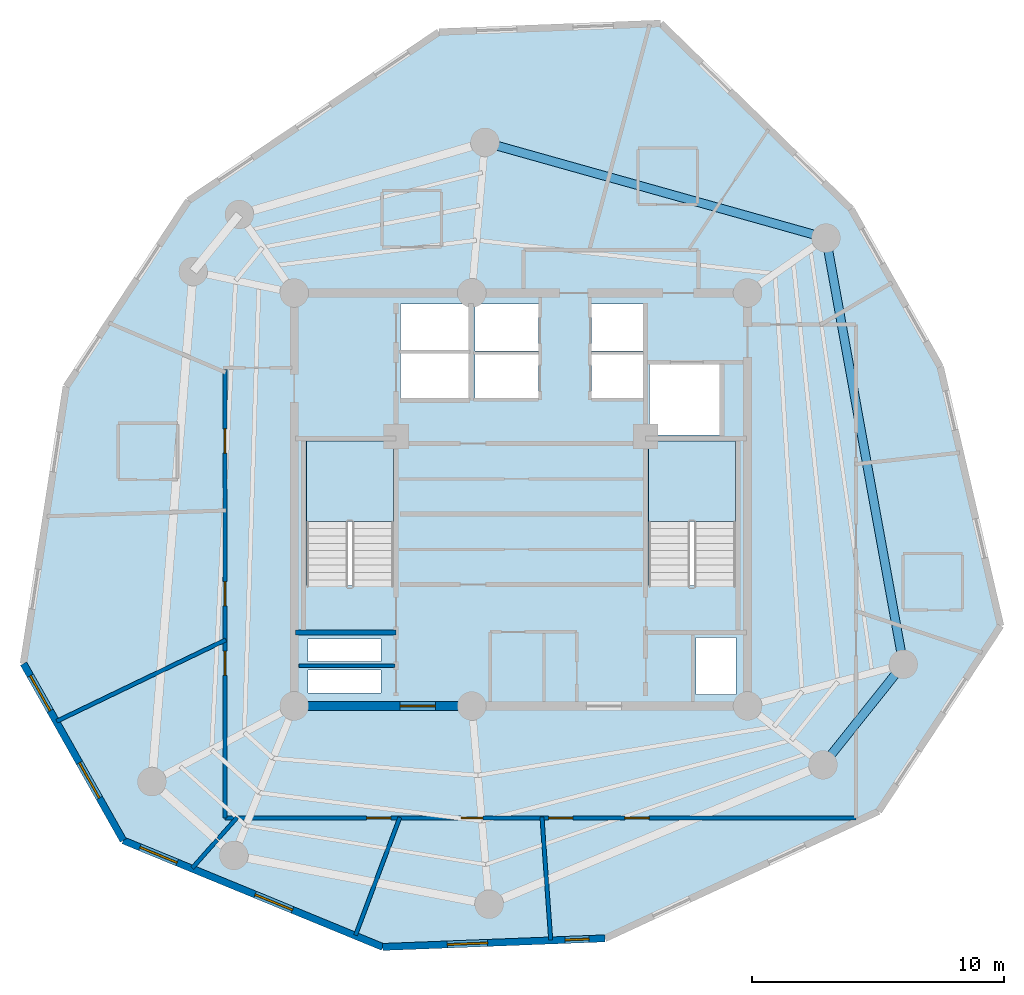
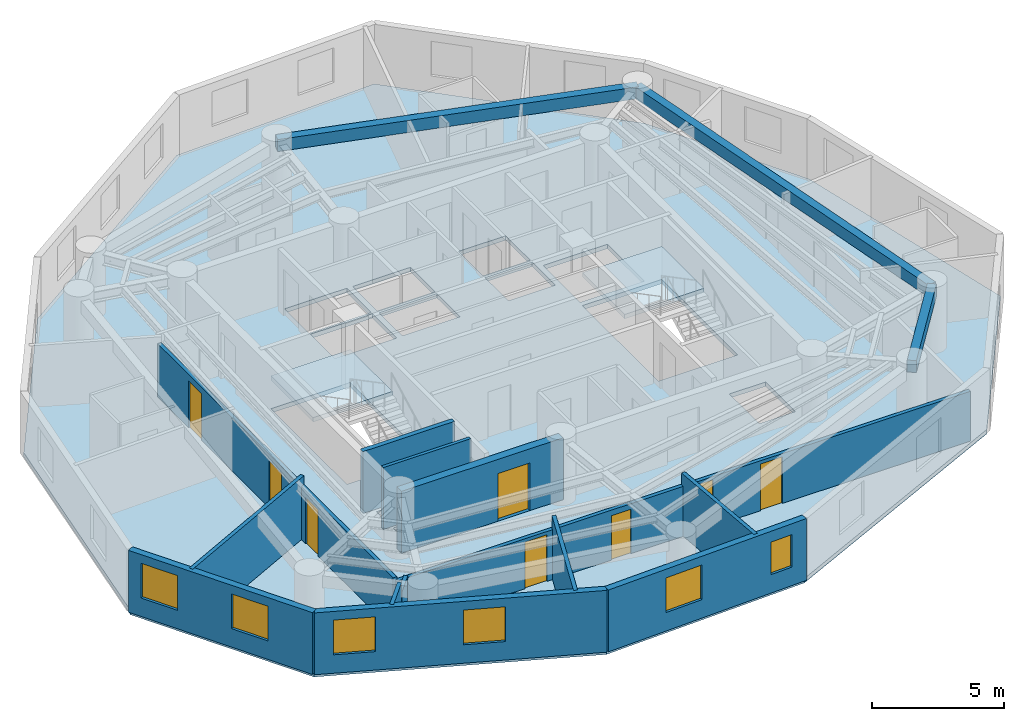
# One storey, part 2 of 7: 13 walls, 8 doors, 6 windows, 3 beams, 3 slabs, 14 openings, 2 elements without a shape of their own.
"""IFC4 building model written with IfcOpenShell, lengths in metres."""

from ifc_helpers import new_model, si_unit, direction, frame, frame_2d, origin, origin_with_axes, origin_2d, place, context, subcontext, project, spatial, polyline, rectangle, outline, extrude, source, transform, mapped, material, layer, layer_set, material_profile, profile_set, type_object, element, fill, aggregate, save


model = new_model("IFC4")

# Units and contexts
model_context = context("Model", 3, precision=1e-05, world=origin(), true_north=direction((0.0, 1.0)))
body_context = subcontext(model_context, "Body", "Model", "MODEL_VIEW")
ifc_project = project(units=[si_unit("LENGTHUNIT", "METRE"), si_unit("AREAUNIT", "SQUARE_METRE"), si_unit("VOLUMEUNIT", "CUBIC_METRE"), si_unit("PLANEANGLEUNIT", "RADIAN"), si_unit("MASSUNIT", "GRAM", prefix="KILO")], contexts=[model_context])

# Site, building, storey
site_placement = place(None, origin())
site = spatial("IfcSite", under=ifc_project, at=site_placement, CompositionType="ELEMENT")
building_placement = place(site_placement, origin())
building = spatial("IfcBuilding", under=site, at=building_placement, Name="Karkom Vertical University and Central Library", CompositionType="ELEMENT")
storey_placement = place(building_placement, frame((0.0, 0.0, 259.60009765625)))
storey = spatial("IfcBuildingStorey", under=building, at=storey_placement, Name="L77", CompositionType="ELEMENT", Elevation=259.60009765625)

# Beams
ifc_material_1 = material(Name="Precast concrete C45/55", Category="concrete")
ifc_material_profile = material_profile(ifc_material_1, rectangle(XDim=0.35009765625, YDim=0.550048828125, at=origin_2d()), Name="SPB-350x550")
ifc_profile_set = profile_set([ifc_material_profile], Name="Precast concrete C45/55")
beam_type = type_object("IfcBeamType", Name="STR-BM-SP-2", PredefinedType="SPANDREL", material=ifc_profile_set)
shared_shape_1 = source(origin_with_axes(), body_context, "Body", "SweptSolid", [
    extrude(rectangle(XDim=0.35009765625, YDim=0.550048828125, at=origin_2d()), origin(), (0.0, 0.0, 1.0), 17.19970703125),
])
beam_1_placement = place(storey_placement, frame((43.681884765625, 19.9560546875, 2.574951171875), z_axis=(-0.178423249727, 0.983953832228, 0.0), x_axis=(-0.983953832228, -0.178423249727, 0.0)))
element("IfcBeam", 1, at=beam_1_placement, inside=storey, type_object=beam_type, Name="Level 77 Perimeter Spandrel Beam 01", PredefinedType="SPANDREL", context=body_context, shape_type="MappedRepresentation", body=[
    mapped(shared_shape_1, transform((0.0, 0.0, 0.0), scale=1.0)),
])
shared_shape_2 = source(origin_with_axes(), body_context, "Body", "SweptSolid", [
    extrude(rectangle(XDim=0.35009765625, YDim=0.550048828125, at=origin_2d()), origin(), (0.0, 0.0, 1.0), 14.0625),
])
beam_2_placement = place(storey_placement, frame((40.613037109375, 36.8798828125, 2.574951171875), z_axis=(-0.962854853531, 0.270019501207, 0.0), x_axis=(-0.270019501207, -0.962854853531, 0.0)))
element("IfcBeam", 2, at=beam_2_placement, inside=storey, type_object=beam_type, Name="Level 77 Perimeter Spandrel Beam 02", PredefinedType="SPANDREL", context=body_context, shape_type="MappedRepresentation", body=[
    mapped(shared_shape_2, transform((0.0, 0.0, 0.0), scale=1.0)),
])
shared_shape_3 = source(origin_with_axes(), body_context, "Body", "SweptSolid", [
    extrude(rectangle(XDim=0.35009765625, YDim=0.550048828125, at=origin_2d()), origin(), (0.0, 0.0, 1.0), 5.112060546875),
])
beam_3_placement = place(storey_placement, frame((40.493896484375, 15.9599609375, 2.574951171875), z_axis=(0.623634459503, 0.78171609995, 0.0), x_axis=(-0.78171609995, 0.623634459503, 0.0)))
element("IfcBeam", 3, at=beam_3_placement, inside=storey, type_object=beam_type, Name="Level 77 Perimeter Spandrel Beam 09", PredefinedType="SPANDREL", context=body_context, shape_type="MappedRepresentation", body=[
    mapped(shared_shape_3, transform((0.0, 0.0, 0.0), scale=1.0)),
])

# Stair, slab
ifc_material_2 = material(Name="Concrete C45/55", Category="concrete")
stair_type = type_object("IfcStairType", Name="INT-STR-ST-MAIN", PredefinedType="HALF_TURN_STAIR", material=ifc_material_2)
stair_1_placement = place(storey_placement, origin())
stair_1 = element("IfcStair", 4, at=stair_1_placement, inside=storey, type_object=stair_type, Name="Level 77 Tower Protected Exit Stair ST-1", PredefinedType="HALF_TURN_STAIR")
ifc_layer_1 = layer(ifc_material_2, 0.199951171875)
ifc_layer_set_1 = layer_set([ifc_layer_1], Name="Concrete C45/55")
slab_type_1 = type_object("IfcSlabType", Name="INT-SLB-LANDING", PredefinedType="LANDING", material=ifc_layer_set_1)
slab_1_placement = place(storey_placement, frame((0.0, 0.0, 1.324951171875)))
slab_1 = element("IfcSlab", 5, at=slab_1_placement, type_object=slab_type_1, Name="ST-1 landing 1", PredefinedType="LANDING", context=body_context, shape_type="SweptSolid", body=[
    extrude(outline(polyline([(23.43994140625, 25.6298828125), (23.43994140625, 28.820068359375), (19.97998046875, 28.820068359375), (19.97998046875, 25.6298828125), (23.43994140625, 25.6298828125)])), origin(), (0.0, 0.0, 1.0), 0.199951171875),
])
aggregate(stair_1, [slab_1])

stair_2_placement = place(storey_placement, origin())
stair_2 = element("IfcStair", 6, at=stair_2_placement, inside=storey, type_object=stair_type, Name="Level 77 Tower Protected Exit Stair ST-2", PredefinedType="HALF_TURN_STAIR")
slab_2_placement = place(storey_placement, frame((0.0, 0.0, 1.324951171875)))
slab_2 = element("IfcSlab", 7, at=slab_2_placement, type_object=slab_type_1, Name="ST-2 landing 1", PredefinedType="LANDING", context=body_context, shape_type="SweptSolid", body=[
    extrude(outline(polyline([(37.02001953125, 25.6298828125), (37.02001953125, 28.820068359375), (33.56005859375, 28.820068359375), (33.56005859375, 25.6298828125), (37.02001953125, 25.6298828125)])), origin(), (0.0, 0.0, 1.0), 0.199951171875),
])
aggregate(stair_2, [slab_2])

# Slab
ifc_material_3 = material(Name="Concrete C40/50", Category="concrete")
ifc_layer_2 = layer(ifc_material_3, 0.199951171875)
ifc_layer_set_2 = layer_set([ifc_layer_2], Name="Concrete C40/50")
slab_type_2 = type_object("IfcSlabType", Name="STR-SLB-FLR-200", PredefinedType="FLOOR", material=ifc_layer_set_2)
slab_3_placement = place(storey_placement, frame((0.0, 0.0, -0.2001953125)))
element("IfcSlab", 8, at=slab_3_placement, inside=storey, type_object=slab_type_2, Name="Level 77 Tower Structural Floor Slab", PredefinedType="FLOOR", context=body_context, shape_type="SweptSolid", body=[
    extrude(outline(polyline([(8.752197265625, 19.98193359375), (12.713623046875, 12.962890625), (23.01220703125, 8.73193359375), (31.833984375, 9.073486328125), (42.700439453125, 14.1240234375), (47.5419921875, 21.484130859375), (45.145263671875, 31.762939453125), (41.608154296875, 38.02978515625), (34.04736328125, 45.39404296875), (25.244384765625, 45.052978515625), (15.3046875, 38.36083984375), (10.45263671875, 30.985107421875), (8.752197265625, 19.98193359375)]), holes=[polyline([(19.97998046875, 23.0849609375), (23.43994140625, 23.0849609375), (23.43994140625, 28.820068359375), (19.97998046875, 28.820068359375), (19.97998046875, 23.0849609375)]), polyline([(33.56005859375, 23.0849609375), (37.02001953125, 23.0849609375), (37.02001953125, 28.820068359375), (33.56005859375, 28.820068359375), (33.56005859375, 23.0849609375)]), polyline([(26.679931640625, 30.5), (29.199951171875, 30.5), (29.199951171875, 32.25), (26.679931640625, 32.25), (26.679931640625, 30.5)]), polyline([(26.679931640625, 32.39990234375), (29.199951171875, 32.39990234375), (29.199951171875, 34.25), (26.679931640625, 34.25), (26.679931640625, 32.39990234375)]), polyline([(31.300048828125, 30.5), (33.35009765625, 30.5), (33.35009765625, 32.25), (31.300048828125, 32.25), (31.300048828125, 30.5)]), polyline([(31.300048828125, 32.39990234375), (33.35009765625, 32.39990234375), (33.35009765625, 34.25), (31.300048828125, 34.25), (31.300048828125, 32.39990234375)]), polyline([(23.719970703125, 30.47998046875), (26.429931640625, 30.47998046875), (26.429931640625, 32.320068359375), (23.719970703125, 32.320068359375), (23.719970703125, 30.47998046875)]), polyline([(23.719970703125, 32.419921875), (26.429931640625, 32.419921875), (26.429931640625, 34.260009765625), (23.719970703125, 34.260009765625), (23.719970703125, 32.419921875)]), polyline([(33.60009765625, 29.050048828125), (36.39990234375, 29.050048828125), (36.39990234375, 31.85009765625), (33.60009765625, 31.85009765625), (33.60009765625, 29.050048828125)]), polyline([(20.050048828125, 18.820068359375), (22.949951171875, 18.820068359375), (22.949951171875, 19.719970703125), (20.050048828125, 19.719970703125), (20.050048828125, 18.820068359375)]), polyline([(20.050048828125, 20.06005859375), (22.949951171875, 20.06005859375), (22.949951171875, 20.9599609375), (20.050048828125, 20.9599609375), (20.050048828125, 20.06005859375)]), polyline([(35.4599609375, 18.760009765625), (37.0400390625, 18.760009765625), (37.0400390625, 21.010009765625), (35.4599609375, 21.010009765625), (35.4599609375, 18.760009765625)])]), origin(), (0.0, 0.0, 1.0), 0.2001953125),
])

# Wall, openings, windows
ifc_material_4 = material(Name="Brick-faced precast concrete C45/55", Category="masonry")
ifc_layer_3 = layer(ifc_material_4, 0.280029296875)
ifc_layer_set_3 = layer_set([ifc_layer_3], Name="Brick-faced precast concrete C45/55")
wall_type_1 = type_object("IfcWallType", Name="ENV-WL-BRK-280", PredefinedType="SOLIDWALL", material=ifc_layer_set_3)
wall_1_placement = place(storey_placement, frame((8.752197265625, 19.98193359375, 0.0), z_axis=(0.0, 0.0, 1.0), x_axis=(0.491506186781, -0.870874082951, 0.0)))
wall_1 = element("IfcWall", 9, at=wall_1_placement, inside=storey, type_object=wall_type_1, Name="Level 77 Brick-Faced Precast Facade Wall 01", PredefinedType="SOLIDWALL", context=body_context, shape_type="SweptSolid", body=[
    extrude(rectangle(XDim=8.059814453125, YDim=0.280029296875, at=frame_2d((4.02978515625, 0.0))), origin(), (0.0, 0.0, 1.0), 2.849853515625),
])
opening_1_placement = place(wall_1_placement, frame((0.55126953125, 0.0, 0.85009765625)))
opening_1 = element("IfcOpeningElement", 10, at=opening_1_placement, cuts=wall_1, Name="Opening WN-10", PredefinedType="OPENING", context=body_context, shape_type="SweptSolid", body=[
    extrude(rectangle(XDim=1.60009765625, YDim=1.60009765625, at=frame_2d((0.800048828125, 0.800048828125))), frame((0.0, 0.14990234375, 0.0), z_axis=(0.0, -1.0, 0.0), x_axis=(1.0, 0.0, 0.0)), (0.0, 0.0, 1.0), 0.300048828125),
])
opening_2_placement = place(wall_1_placement, frame((4.52099609375, 0.0, 0.85009765625)))
opening_2 = element("IfcOpeningElement", 11, at=opening_2_placement, cuts=wall_1, Name="Opening WN-10", PredefinedType="OPENING", context=body_context, shape_type="SweptSolid", body=[
    extrude(rectangle(XDim=1.60009765625, YDim=1.60009765625, at=frame_2d((0.800048828125, 0.800048828125))), frame((0.0, 0.14990234375, 0.0), z_axis=(0.0, -1.0, 0.0), x_axis=(1.0, 0.0, 0.0)), (0.0, 0.0, 1.0), 0.300048828125),
])
ifc_material_5 = material(Name="Aluminium thermal-break frame with solar-control IGU", Category="aluminium")
window_type_1 = type_object("IfcWindowType", Name="ENV-WIN-WN-10", PartitioningType="SINGLE_PANEL", PredefinedType="WINDOW", material=ifc_material_5)
shared_shape_4 = source(origin_with_axes(), body_context, "Body", "SweptSolid", [
    extrude(rectangle(XDim=1.60009765625, YDim=1.60009765625, at=frame_2d((0.800048828125, 0.800048828125))), frame((0.0, 0.030029296875, 0.0), z_axis=(0.0, -1.0, 0.0), x_axis=(1.0, 0.0, 0.0)), (0.0, 0.0, 1.0), 0.06005859375),
])
window_1_placement = place(opening_1_placement, origin())
window_1 = element("IfcWindow", 12, at=window_1_placement, inside=storey, type_object=window_type_1, Name="Level 77 Punched Window 1.1", OverallHeight=1.60009765625, OverallWidth=1.60009765625, PartitioningType="SINGLE_PANEL", PredefinedType="WINDOW", context=body_context, shape_type="MappedRepresentation", body=[
    mapped(shared_shape_4, transform((0.0, 0.0, 0.0), scale=1.0)),
])
fill(opening_1, window_1)
window_2_placement = place(opening_2_placement, origin())
window_2 = element("IfcWindow", 13, at=window_2_placement, inside=storey, type_object=window_type_1, Name="Level 77 Punched Window 1.2", OverallHeight=1.60009765625, OverallWidth=1.60009765625, PartitioningType="SINGLE_PANEL", PredefinedType="WINDOW", context=body_context, shape_type="MappedRepresentation", body=[
    mapped(shared_shape_4, transform((0.0, 0.0, 0.0), scale=1.0)),
])
fill(opening_2, window_2)

wall_2_placement = place(storey_placement, frame((12.713623046875, 12.962890625, 0.0), z_axis=(0.0, 0.0, 1.0), x_axis=(0.924982521619, -0.380009650799, 0.0)))
wall_2 = element("IfcWall", 14, at=wall_2_placement, inside=storey, type_object=wall_type_1, Name="Level 77 Brick-Faced Precast Facade Wall 02", PredefinedType="SOLIDWALL", context=body_context, shape_type="SweptSolid", body=[
    extrude(rectangle(XDim=11.1337890625, YDim=0.280029296875, at=frame_2d((5.56689453125, 0.0))), origin(), (0.0, 0.0, 1.0), 2.849853515625),
])
opening_3_placement = place(wall_2_placement, frame((0.711181640625, 0.0, 0.85009765625)))
opening_3 = element("IfcOpeningElement", 15, at=opening_3_placement, cuts=wall_2, Name="Opening WN-10", PredefinedType="OPENING", context=body_context, shape_type="SweptSolid", body=[
    extrude(rectangle(XDim=1.60009765625, YDim=1.60009765625, at=frame_2d((0.800048828125, 0.800048828125))), frame((0.0, 0.14990234375, 0.0), z_axis=(0.0, -1.0, 0.0), x_axis=(1.0, 0.0, 0.0)), (0.0, 0.0, 1.0), 0.300048828125),
])
opening_4_placement = place(wall_2_placement, frame((5.66015625, 0.0, 0.85009765625)))
opening_4 = element("IfcOpeningElement", 16, at=opening_4_placement, cuts=wall_2, Name="Opening WN-10", PredefinedType="OPENING", context=body_context, shape_type="SweptSolid", body=[
    extrude(rectangle(XDim=1.60009765625, YDim=1.60009765625, at=frame_2d((0.800048828125, 0.800048828125))), frame((0.0, 0.14990234375, 0.0), z_axis=(0.0, -1.0, 0.0), x_axis=(1.0, 0.0, 0.0)), (0.0, 0.0, 1.0), 0.300048828125),
])
window_3_placement = place(opening_3_placement, origin())
window_3 = element("IfcWindow", 17, at=window_3_placement, inside=storey, type_object=window_type_1, Name="Level 77 Punched Window 2.1", OverallHeight=1.60009765625, OverallWidth=1.60009765625, PartitioningType="SINGLE_PANEL", PredefinedType="WINDOW", context=body_context, shape_type="MappedRepresentation", body=[
    mapped(shared_shape_4, transform((0.0, 0.0, 0.0), scale=1.0)),
])
fill(opening_3, window_3)
window_4_placement = place(opening_4_placement, origin())
window_4 = element("IfcWindow", 18, at=window_4_placement, inside=storey, type_object=window_type_1, Name="Level 77 Punched Window 2.2", OverallHeight=1.60009765625, OverallWidth=1.60009765625, PartitioningType="SINGLE_PANEL", PredefinedType="WINDOW", context=body_context, shape_type="MappedRepresentation", body=[
    mapped(shared_shape_4, transform((0.0, 0.0, 0.0), scale=1.0)),
])
fill(opening_4, window_4)

wall_3_placement = place(storey_placement, frame((23.01220703125, 8.73193359375, 0.0), z_axis=(0.0, 0.0, 1.0), x_axis=(0.99925133862, 0.03868801192, 0.0)))
wall_3 = element("IfcWall", 19, at=wall_3_placement, inside=storey, type_object=wall_type_1, Name="Level 77 Brick-Faced Precast Facade Wall 03", PredefinedType="SOLIDWALL", context=body_context, shape_type="SweptSolid", body=[
    extrude(rectangle(XDim=8.828369140625, YDim=0.280029296875, at=frame_2d((4.4140625, 0.0))), origin(), (0.0, 0.0, 1.0), 2.849853515625),
])
opening_5_placement = place(wall_3_placement, frame((2.567626953125, 0.0, 0.85009765625)))
opening_5 = element("IfcOpeningElement", 20, at=opening_5_placement, cuts=wall_3, Name="Opening WN-10", PredefinedType="OPENING", context=body_context, shape_type="SweptSolid", body=[
    extrude(rectangle(XDim=1.60009765625, YDim=1.60009765625, at=frame_2d((0.800048828125, 0.800048828125))), frame((0.0, 0.14990234375, 0.0), z_axis=(0.0, -1.0, 0.0), x_axis=(1.0, 0.0, 0.0)), (0.0, 0.0, 1.0), 0.300048828125),
])
opening_6_placement = place(wall_3_placement, frame((7.246826171875, 0.0, 0.85009765625)))
opening_6 = element("IfcOpeningElement", 21, at=opening_6_placement, cuts=wall_3, Name="Opening WN-12", PredefinedType="OPENING", context=body_context, shape_type="SweptSolid", body=[
    extrude(rectangle(XDim=0.949951171875, YDim=1.5, at=frame_2d((0.47509765625, 0.75))), frame((0.0, 0.14990234375, 0.0), z_axis=(0.0, -1.0, 0.0), x_axis=(1.0, 0.0, 0.0)), (0.0, 0.0, 1.0), 0.300048828125),
])
window_type_2 = type_object("IfcWindowType", Name="ENV-WIN-WN-12", PartitioningType="SINGLE_PANEL", PredefinedType="WINDOW", material=ifc_material_5)
shared_shape_5 = source(origin_with_axes(), body_context, "Body", "SweptSolid", [
    extrude(rectangle(XDim=0.949951171875, YDim=1.5, at=frame_2d((0.47509765625, 0.75))), frame((0.0, 0.030029296875, 0.0), z_axis=(0.0, -1.0, 0.0), x_axis=(1.0, 0.0, 0.0)), (0.0, 0.0, 1.0), 0.06005859375),
])
window_5_placement = place(opening_6_placement, origin())
window_5 = element("IfcWindow", 22, at=window_5_placement, inside=storey, type_object=window_type_2, Name="Level 77 Punched Window 3.2", OverallHeight=1.5, OverallWidth=0.949951171875, PartitioningType="SINGLE_PANEL", PredefinedType="WINDOW", context=body_context, shape_type="MappedRepresentation", body=[
    mapped(shared_shape_5, transform((0.0, 0.0, 0.0), scale=1.0)),
])
fill(opening_6, window_5)
window_6_placement = place(opening_5_placement, origin())
window_6 = element("IfcWindow", 23, at=window_6_placement, inside=storey, type_object=window_type_1, Name="Level 77 Punched Window 3.1", OverallHeight=1.60009765625, OverallWidth=1.60009765625, PartitioningType="SINGLE_PANEL", PredefinedType="WINDOW", context=body_context, shape_type="MappedRepresentation", body=[
    mapped(shared_shape_4, transform((0.0, 0.0, 0.0), scale=1.0)),
])
fill(opening_5, window_6)

# Wall, openings, doors
ifc_material_6 = material(Name="Insulated metal-stud drywall 160mm", Category="gypsum")
ifc_layer_4 = layer(ifc_material_6, 0.159912109375)
ifc_layer_set_4 = layer_set([ifc_layer_4], Name="Insulated metal-stud drywall 160mm")
wall_type_2 = type_object("IfcWallType", Name="INT-WL-COR-160", PredefinedType="PARTITIONING", material=ifc_layer_set_4)
wall_4_placement = place(storey_placement, frame((41.793701171875, 13.85009765625, 0.0), z_axis=(0.0, 0.0, 1.0), x_axis=(-1.0, 0.0, 0.0)))
wall_4 = element("IfcWall", 24, at=wall_4_placement, inside=storey, type_object=wall_type_2, Name="Level 77 Interior Partition Wall L77-CORW-CW-001", PredefinedType="PARTITIONING", context=body_context, shape_type="SweptSolid", body=[
    extrude(rectangle(XDim=25.043701171875, YDim=0.159912109375, at=frame_2d((12.52197265625, 0.0))), origin(), (0.0, 0.0, 1.0), 2.2998046875),
])
opening_7_placement = place(wall_4_placement, frame((18.45849609375, 0.0, 0.0)))
opening_7 = element("IfcOpeningElement", 25, at=opening_7_placement, cuts=wall_4, Name="Opening FD-RM2", PredefinedType="OPENING", context=body_context, shape_type="SweptSolid", body=[
    extrude(rectangle(XDim=0.9599609375, YDim=2.14990234375, at=frame_2d((0.47998046875, 1.074951171875))), frame((0.0, 0.08984375, 0.0), z_axis=(0.0, -1.0, 0.0), x_axis=(1.0, 0.0, 0.0)), (0.0, 0.0, 1.0), 0.179931640625),
])
opening_8_placement = place(wall_4_placement, frame((11.230712890625, 0.0, 0.0)))
opening_8 = element("IfcOpeningElement", 26, at=opening_8_placement, cuts=wall_4, Name="Opening FD-RM2", PredefinedType="OPENING", context=body_context, shape_type="SweptSolid", body=[
    extrude(rectangle(XDim=0.9599609375, YDim=2.14990234375, at=frame_2d((0.47998046875, 1.074951171875))), frame((0.0, 0.08984375, 0.0), z_axis=(0.0, -1.0, 0.0), x_axis=(1.0, 0.0, 0.0)), (0.0, 0.0, 1.0), 0.179931640625),
])
opening_9_placement = place(wall_4_placement, frame((8.201904296875, 0.0, 0.0)))
opening_9 = element("IfcOpeningElement", 27, at=opening_9_placement, cuts=wall_4, Name="Opening FD-RM2", PredefinedType="OPENING", context=body_context, shape_type="SweptSolid", body=[
    extrude(rectangle(XDim=0.9599609375, YDim=2.14990234375, at=frame_2d((0.47998046875, 1.074951171875))), frame((0.0, 0.08984375, 0.0), z_axis=(0.0, -1.0, 0.0), x_axis=(1.0, 0.0, 0.0)), (0.0, 0.0, 1.0), 0.179931640625),
])
opening_10_placement = place(wall_4_placement, frame((14.804931640625, 0.0, 0.0)))
opening_10 = element("IfcOpeningElement", 28, at=opening_10_placement, cuts=wall_4, Name="Opening FD-BTH2", PredefinedType="OPENING", context=body_context, shape_type="SweptSolid", body=[
    extrude(rectangle(XDim=0.860107421875, YDim=2.0400390625, at=frame_2d((0.43017578125, 1.02001953125))), frame((0.0, 0.08984375, 0.0), z_axis=(0.0, -1.0, 0.0), x_axis=(1.0, 0.0, 0.0)), (0.0, 0.0, 1.0), 0.179931640625),
])
ifc_material_7 = material(Name="Fire-rated oak veneer door", Category="wood")
door_type_1 = type_object("IfcDoorType", Name="INT-DR-FRM2", OperationType="NOTDEFINED", PredefinedType="DOOR", material=ifc_material_7)
shared_shape_6 = source(origin_with_axes(), body_context, "Body", "SweptSolid", [
    extrude(rectangle(XDim=0.9599609375, YDim=2.14990234375, at=frame_2d((0.47998046875, 1.074951171875))), frame((0.0, 0.02490234375, 0.0), z_axis=(0.0, -1.0, 0.0), x_axis=(1.0, 0.0, 0.0)), (0.0, 0.0, 1.0), 0.050048828125),
])
door_1_placement = place(opening_7_placement, origin())
door_1 = element("IfcDoor", 29, at=door_1_placement, inside=storey, type_object=door_type_1, Name="Level 77 Room Entry Door 302", OperationType="SINGLE_SWING_LEFT", OverallHeight=2.14990234375, OverallWidth=0.9599609375, PredefinedType="DOOR", context=body_context, shape_type="MappedRepresentation", body=[
    mapped(shared_shape_6, transform((0.0, 0.0, 0.0), scale=1.0)),
])
fill(opening_7, door_1)
door_2_placement = place(opening_8_placement, origin())
door_2 = element("IfcDoor", 30, at=door_2_placement, inside=storey, type_object=door_type_1, Name="Level 77 Room Entry Door 303", OperationType="SINGLE_SWING_RIGHT", OverallHeight=2.14990234375, OverallWidth=0.9599609375, PredefinedType="DOOR", context=body_context, shape_type="MappedRepresentation", body=[
    mapped(shared_shape_6, transform((0.0, 0.0, 0.0), scale=1.0)),
])
fill(opening_8, door_2)
door_3_placement = place(opening_9_placement, origin())
door_3 = element("IfcDoor", 31, at=door_3_placement, inside=storey, type_object=door_type_1, Name="Level 77 Room Entry Door 304", OperationType="SINGLE_SWING_LEFT", OverallHeight=2.14990234375, OverallWidth=0.9599609375, PredefinedType="DOOR", context=body_context, shape_type="MappedRepresentation", body=[
    mapped(shared_shape_6, transform((0.0, 0.0, 0.0), scale=1.0)),
])
fill(opening_9, door_3)
ifc_material_8 = material(Name="Fire-rated moisture-resistant oak door", Category="wood")
door_type_2 = type_object("IfcDoorType", Name="INT-DR-FBTH2", OperationType="NOTDEFINED", PredefinedType="DOOR", material=ifc_material_8)
shared_shape_7 = source(origin_with_axes(), body_context, "Body", "SweptSolid", [
    extrude(rectangle(XDim=0.860107421875, YDim=2.0400390625, at=frame_2d((0.43017578125, 1.02001953125))), frame((0.0, 0.02490234375, 0.0), z_axis=(0.0, -1.0, 0.0), x_axis=(1.0, 0.0, 0.0)), (0.0, 0.0, 1.0), 0.050048828125),
])
door_4_placement = place(opening_10_placement, origin())
door_4 = element("IfcDoor", 32, at=door_4_placement, inside=storey, type_object=door_type_2, Name="Level 77 Faculty Consultation Office Entry Door", OperationType="SINGLE_SWING_RIGHT", OverallHeight=2.0400390625, OverallWidth=0.860107421875, PredefinedType="DOOR", context=body_context, shape_type="MappedRepresentation", body=[
    mapped(shared_shape_7, transform((0.0, 0.0, 0.0), scale=1.0)),
])
fill(opening_10, door_4)

wall_5_placement = place(storey_placement, frame((16.75, 13.85009765625, 0.0), z_axis=(0.0, 0.0, 1.0), x_axis=(0.0, 1.0, 0.0)))
wall_5 = element("IfcWall", 33, at=wall_5_placement, inside=storey, type_object=wall_type_2, Name="Level 77 Interior Partition Wall L77-CORW-CW-002", PredefinedType="PARTITIONING", context=body_context, shape_type="SweptSolid", body=[
    extrude(rectangle(XDim=17.7998046875, YDim=0.159912109375, at=frame_2d((8.89990234375, 0.0))), origin(), (0.0, 0.0, 1.0), 2.449951171875),
])
opening_11_placement = place(wall_5_placement, frame((14.49169921875, 0.0, 0.0)))
opening_11 = element("IfcOpeningElement", 34, at=opening_11_placement, cuts=wall_5, Name="Opening FD-RM2", PredefinedType="OPENING", context=body_context, shape_type="SweptSolid", body=[
    extrude(rectangle(XDim=0.9599609375, YDim=2.14990234375, at=frame_2d((0.47998046875, 1.074951171875))), frame((0.0, 0.08984375, 0.0), z_axis=(0.0, -1.0, 0.0), x_axis=(1.0, 0.0, 0.0)), (0.0, 0.0, 1.0), 0.179931640625),
])
opening_12_placement = place(wall_5_placement, frame((8.425048828125, 0.0, 0.0)))
opening_12 = element("IfcOpeningElement", 35, at=opening_12_placement, cuts=wall_5, Name="Opening FD-RM2", PredefinedType="OPENING", context=body_context, shape_type="SweptSolid", body=[
    extrude(rectangle(XDim=0.9599609375, YDim=2.14990234375, at=frame_2d((0.47998046875, 1.074951171875))), frame((0.0, 0.08984375, 0.0), z_axis=(0.0, -1.0, 0.0), x_axis=(1.0, 0.0, 0.0)), (0.0, 0.0, 1.0), 0.179931640625),
])
opening_13_placement = place(wall_5_placement, frame((5.6650390625, 0.0, 0.0)))
opening_13 = element("IfcOpeningElement", 36, at=opening_13_placement, cuts=wall_5, Name="Opening FD-RM2", PredefinedType="OPENING", context=body_context, shape_type="SweptSolid", body=[
    extrude(rectangle(XDim=0.9599609375, YDim=2.14990234375, at=frame_2d((0.47998046875, 1.074951171875))), frame((0.0, 0.08984375, 0.0), z_axis=(0.0, -1.0, 0.0), x_axis=(1.0, 0.0, 0.0)), (0.0, 0.0, 1.0), 0.179931640625),
])
door_5_placement = place(opening_11_placement, origin())
door_5 = element("IfcDoor", 37, at=door_5_placement, inside=storey, type_object=door_type_1, Name="Level 77 Room Entry Door 420", OperationType="SINGLE_SWING_RIGHT", OverallHeight=2.14990234375, OverallWidth=0.9599609375, PredefinedType="DOOR", context=body_context, shape_type="MappedRepresentation", body=[
    mapped(shared_shape_6, transform((0.0, 0.0, 0.0), scale=1.0)),
])
fill(opening_11, door_5)
door_6_placement = place(opening_12_placement, origin())
door_6 = element("IfcDoor", 38, at=door_6_placement, inside=storey, type_object=door_type_1, Name="Level 77 Room Entry Door 300", OperationType="SINGLE_SWING_LEFT", OverallHeight=2.14990234375, OverallWidth=0.9599609375, PredefinedType="DOOR", context=body_context, shape_type="MappedRepresentation", body=[
    mapped(shared_shape_6, transform((0.0, 0.0, 0.0), scale=1.0)),
])
fill(opening_12, door_6)
door_7_placement = place(opening_13_placement, origin())
door_7 = element("IfcDoor", 39, at=door_7_placement, inside=storey, type_object=door_type_1, Name="Level 77 Room Entry Door 301", OperationType="SINGLE_SWING_RIGHT", OverallHeight=2.14990234375, OverallWidth=0.9599609375, PredefinedType="DOOR", context=body_context, shape_type="MappedRepresentation", body=[
    mapped(shared_shape_6, transform((0.0, 0.0, 0.0), scale=1.0)),
])
fill(opening_13, door_7)

# Walls
wall_6_placement = place(storey_placement, frame((16.79052734375, 20.9296875, 0.0), z_axis=(0.0, 0.0, 1.0), x_axis=(-0.901032002192, -0.433752615008, 0.0)))
element("IfcWall", 40, at=wall_6_placement, inside=storey, type_object=wall_type_2, Name="Level 77 Interior Partition Wall L77-PW-001", PredefinedType="PARTITIONING", context=body_context, shape_type="SweptSolid", body=[
    extrude(rectangle(XDim=7.456787109375, YDim=0.159912109375, at=frame_2d((3.728515625, 0.0))), origin(), (0.0, 0.0, 1.0), 2.849853515625),
])
wall_7_placement = place(storey_placement, frame((23.692626953125, 13.878173828125, 0.0), z_axis=(0.0, 0.0, 1.0), x_axis=(-0.351787397377, -0.936079925566, 0.0)))
element("IfcWall", 41, at=wall_7_placement, inside=storey, type_object=wall_type_2, Name="Level 77 Interior Partition Wall L77-PW-006", PredefinedType="PARTITIONING", context=body_context, shape_type="SweptSolid", body=[
    extrude(rectangle(XDim=4.99609375, YDim=0.159912109375, at=frame_2d((2.498046875, 0.0))), origin(), (0.0, 0.0, 1.0), 2.849853515625),
])
wall_8_placement = place(storey_placement, frame((29.335693359375, 13.89501953125, 0.0), z_axis=(0.0, 0.0, 1.0), x_axis=(0.07091367672, -0.997482456214, 0.0)))
element("IfcWall", 42, at=wall_8_placement, inside=storey, type_object=wall_type_2, Name="Level 77 Interior Partition Wall L77-PW-007", PredefinedType="PARTITIONING", context=body_context, shape_type="SweptSolid", body=[
    extrude(rectangle(XDim=4.89208984375, YDim=0.159912109375, at=frame_2d((2.446044921875, 0.0))), origin(), (0.0, 0.0, 1.0), 2.849853515625),
])
wall_9_placement = place(storey_placement, frame((16.443115234375, 12.984130859375, 0.0), z_axis=(0.0, 0.0, 1.0), x_axis=(-0.663265845399, -0.748383870969, 0.0)))
element("IfcWall", 43, at=wall_9_placement, inside=storey, type_object=wall_type_2, Name="Level 77 Interior Partition Wall L77-PW-004", PredefinedType="PARTITIONING", context=body_context, shape_type="SweptSolid", body=[
    extrude(rectangle(XDim=1.491455078125, YDim=0.159912109375, at=frame_2d((0.74560546875, 0.0))), origin(), (0.0, 0.0, 1.0), 2.849853515625),
])
wall_10_placement = place(storey_placement, frame((17.22998046875, 13.87255859375, 0.0), z_axis=(0.0, 0.0, 1.0), x_axis=(-0.663076715011, -0.748551447805, 0.0)))
element("IfcWall", 44, at=wall_10_placement, inside=storey, type_object=wall_type_2, Name="Level 77 Interior Partition Wall L77-PW-003", PredefinedType="PARTITIONING", context=body_context, shape_type="SweptSolid", body=[
    extrude(rectangle(XDim=1.131103515625, YDim=0.159912109375, at=frame_2d((0.5654296875, 0.0))), origin(), (0.0, 0.0, 1.0), 2.349853515625),
])
ifc_material_9 = material(Name="Metal-stud gypsum partition 140mm", Category="gypsum")
ifc_layer_5 = layer(ifc_material_9, 0.139892578125)
ifc_layer_set_5 = layer_set([ifc_layer_5], Name="Metal-stud gypsum partition 140mm")
wall_type_3 = type_object("IfcWallType", Name="INT-WL-SUB-140H", PredefinedType="PARTITIONING", material=ifc_layer_set_5)
wall_11_placement = place(storey_placement, frame((19.681884765625, 19.889892578125, 0.0), z_axis=(0.0, 0.0, 1.0), x_axis=(1.0, 0.0, 0.0)))
element("IfcWall", 45, at=wall_11_placement, inside=storey, type_object=wall_type_3, Name="Level 77 Interior Partition Wall L77-CW-RIS-W", PredefinedType="PARTITIONING", context=body_context, shape_type="SweptSolid", body=[
    extrude(rectangle(XDim=3.8154296875, YDim=0.139892578125, at=frame_2d((1.90771484375, 0.0))), origin(), (0.0, 0.0, 1.0), 2.849853515625),
])

# Wall, opening, door
ifc_layer_6 = layer(ifc_material_2, 0.35009765625)
ifc_layer_set_6 = layer_set([ifc_layer_6], Name="Concrete C45/55")
wall_type_4 = type_object("IfcWallType", Name="STR-WL-CW-350", PredefinedType="SHEAR", material=ifc_layer_set_6)
wall_12_placement = place(storey_placement, frame((19.5, 18.300048828125, 0.0), z_axis=(0.0, 0.0, 1.0), x_axis=(1.0, 0.0, 0.0)))
wall_12 = element("IfcWall", 46, at=wall_12_placement, inside=storey, type_object=wall_type_4, Name="Level 77 Central Core Shear Wall SW1", PredefinedType="SHEAR", context=body_context, shape_type="SweptSolid", body=[
    extrude(rectangle(XDim=7.050048828125, YDim=0.35009765625, at=frame_2d((3.52490234375, 0.0))), origin(), (0.0, 0.0, 1.0), 2.849853515625),
])
opening_14_placement = place(wall_12_placement, frame((4.199951171875, 0.0, 0.0)))
opening_14 = element("IfcOpeningElement", 47, at=opening_14_placement, cuts=wall_12, Name="Opening FD-CLB", PredefinedType="OPENING", context=body_context, shape_type="SweptSolid", body=[
    extrude(rectangle(XDim=1.39990234375, YDim=2.199951171875, at=frame_2d((0.699951171875, 1.10009765625))), frame((0.0, 0.18505859375, 0.0), z_axis=(0.0, -1.0, 0.0), x_axis=(1.0, 0.0, 0.0)), (0.0, 0.0, 1.0), 0.3701171875),
])
ifc_material_10 = material(Name="Painted steel fire door", Category="steel")
door_type_3 = type_object("IfcDoorType", Name="INT-DR-CLB", OperationType="DOUBLE_DOOR_SINGLE_SWING", PredefinedType="DOOR", material=ifc_material_10)
shared_shape_8 = source(origin_with_axes(), body_context, "Body", "SweptSolid", [
    extrude(rectangle(XDim=1.39990234375, YDim=2.199951171875, at=frame_2d((0.699951171875, 1.10009765625))), frame((0.0, 0.02490234375, 0.0), z_axis=(0.0, -1.0, 0.0), x_axis=(1.0, 0.0, 0.0)), (0.0, 0.0, 1.0), 0.050048828125),
])
door_8_placement = place(opening_14_placement, origin())
door_8 = element("IfcDoor", 48, at=door_8_placement, inside=storey, type_object=door_type_3, Name="Level 77 South Core Lobby West Exit Door", OperationType="DOUBLE_DOOR_SINGLE_SWING", OverallHeight=2.199951171875, OverallWidth=1.39990234375, PredefinedType="DOOR", context=body_context, shape_type="MappedRepresentation", body=[
    mapped(shared_shape_8, transform((0.0, 0.0, 0.0), scale=1.0)),
])
fill(opening_14, door_8)

# Wall
ifc_layer_7 = layer(ifc_material_2, 0.199951171875)
ifc_layer_set_7 = layer_set([ifc_layer_7], Name="Concrete C45/55")
wall_type_5 = type_object("IfcWallType", Name="STR-WL-ST-200", PredefinedType="SHEAR", material=ifc_layer_set_7)
wall_13_placement = place(storey_placement, frame((19.550048828125, 21.215087890625, 0.0), z_axis=(0.0, 0.0, 1.0), x_axis=(1.0, 0.0, 0.0)))
element("IfcWall", 49, at=wall_13_placement, inside=storey, type_object=wall_type_5, Name="Level 77 Core Shaft Wall L77-CW-ST1-S", PredefinedType="SHEAR", context=body_context, shape_type="SweptSolid", body=[
    extrude(rectangle(XDim=3.994873046875, YDim=0.199951171875, at=frame_2d((1.99755859375, 0.0))), origin(), (0.0, 0.0, 1.0), 2.849853515625),
])

save(model, "model.ifc")
